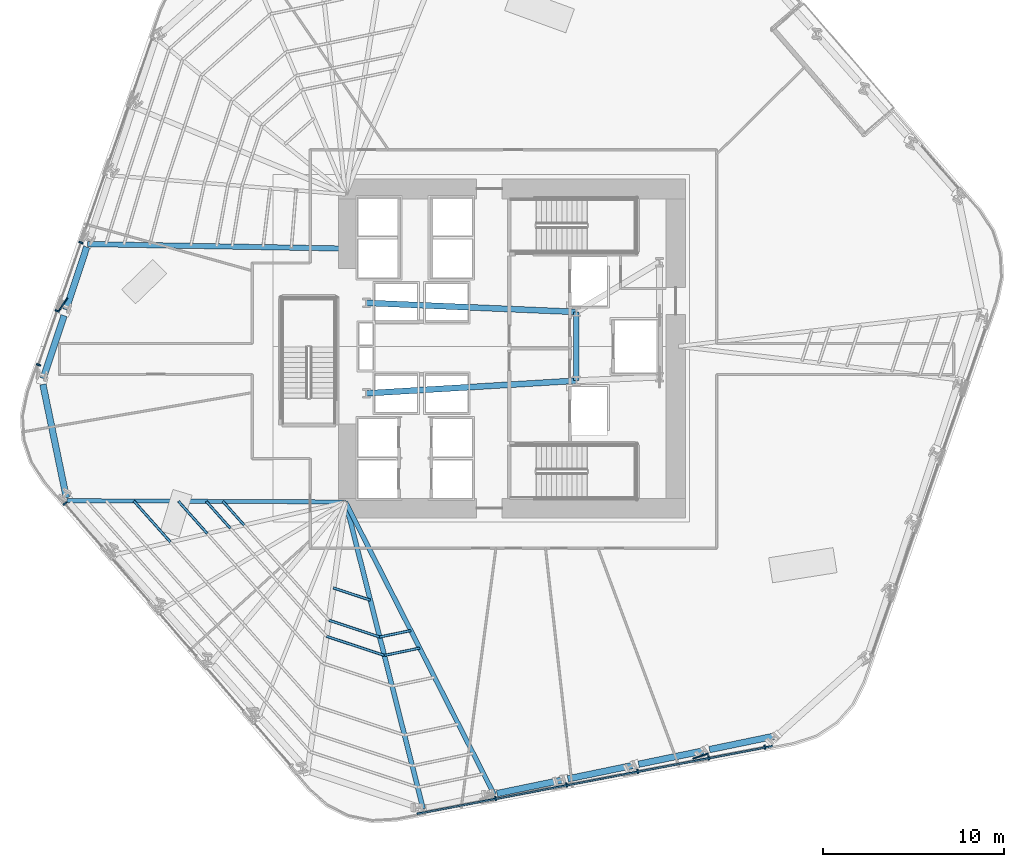
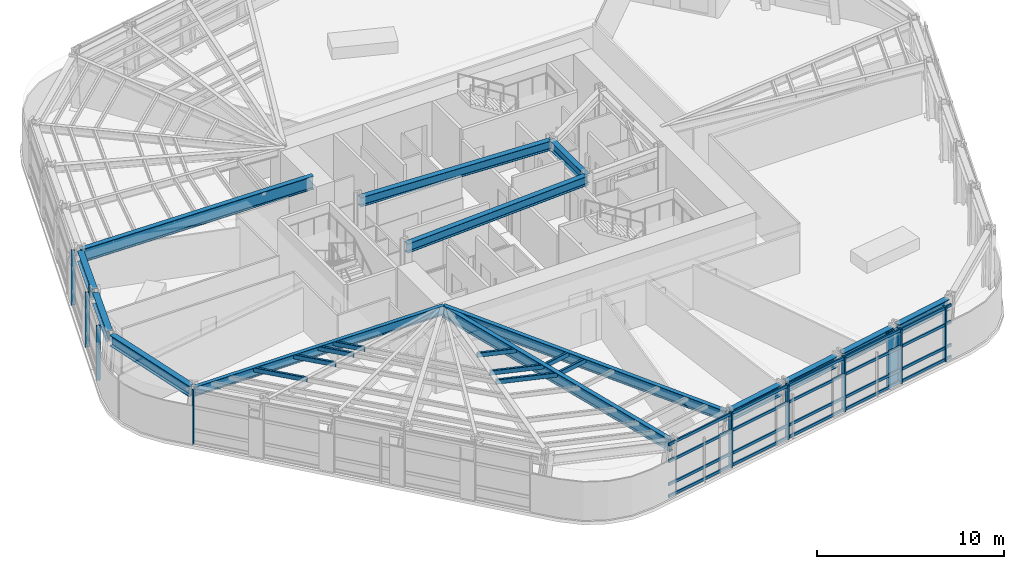
# One storey, part 3 of 18: 24 members, 14 beams, 3 elements without a shape of their own.
"""IFC4 building model written with IfcOpenShell, lengths in metres."""

from ifc_helpers import new_model, si_unit, direction, frame, origin, origin_2d, place, context, subcontext, project, spatial, rectangle, hollow_rectangle, i_section, extrude, material, layer, layer_set, material_profile, profile_set, type_object, element, aggregate, save


model = new_model("IFC4")

# Units and contexts
model_context = context("Model", 3, precision=1e-05, world=origin(), true_north=direction((0.0, 1.0)))
body_context = subcontext(model_context, "Body", "Model", "MODEL_VIEW")
ifc_project = project(units=[si_unit("LENGTHUNIT", "METRE"), si_unit("AREAUNIT", "SQUARE_METRE"), si_unit("VOLUMEUNIT", "CUBIC_METRE"), si_unit("PLANEANGLEUNIT", "RADIAN"), si_unit("MASSUNIT", "GRAM", prefix="KILO")], contexts=[model_context])

# Site, building, storey
site_placement = place(None, origin())
site = spatial("IfcSite", under=ifc_project, at=site_placement, CompositionType="ELEMENT")
building_placement = place(site_placement, origin())
building = spatial("IfcBuilding", under=site, at=building_placement, Name="Valkerne Bourse Tower", CompositionType="ELEMENT")
storey_placement = place(building_placement, frame((0.0, 0.0, 69.60009765625)))
storey = spatial("IfcBuildingStorey", under=building, at=storey_placement, Name="L17", CompositionType="ELEMENT", Elevation=69.60009765625)

# Beams
ifc_material_1 = material(Name="Steel ASTM A992", Category="steel")
ifc_material_profile_1 = material_profile(ifc_material_1, i_section(OverallWidth=0.3251953125, OverallDepth=0.612060546875, WebThickness=0.0126953125, FlangeThickness=0.01904296875, FilletRadius=0.020263671875, at=origin_2d()), Name="W24X104")
ifc_profile_set_1 = profile_set([ifc_material_profile_1], Name="Steel ASTM A992")
beam_type_1 = type_object("IfcBeamType", Name="BM-W24X104", PredefinedType="BEAM", material=ifc_profile_set_1)
beam_1_placement = place(storey_placement, frame((50.35009765625, 25.10009765625, 3.27392578125), z_axis=(0.0, 1.0, 0.0), x_axis=(-1.0, 0.0, 0.0)))
element("IfcBeam", 1, at=beam_1_placement, inside=storey, type_object=beam_type_1, Name="L17 Core Frame Girder CG-CE", PredefinedType="BEAM", context=body_context, shape_type="SweptSolid", body=[
    extrude(i_section(OverallWidth=0.3251953125, OverallDepth=0.612060546875, WebThickness=0.0126953125, FlangeThickness=0.01904296875, FilletRadius=0.020263671875, at=origin_2d()), origin(), (0.0, 0.0, 1.0), 3.7998046875),
])
beam_2_placement = place(storey_placement, frame((38.75, 24.39990234375, 3.27392578125), z_axis=(0.998183228389, 0.060251494276, 0.0), x_axis=(-0.060251494276, 0.998183228389, 0.0)))
element("IfcBeam", 2, at=beam_2_placement, inside=storey, type_object=beam_type_1, Name="L17 Core Frame Girder CG-SW", PredefinedType="BEAM", context=body_context, shape_type="SweptSolid", body=[
    extrude(i_section(OverallWidth=0.3251953125, OverallDepth=0.612060546875, WebThickness=0.0126953125, FlangeThickness=0.01904296875, FilletRadius=0.020263671875, at=origin_2d()), origin(), (0.0, 0.0, 1.0), 11.62109375),
])
beam_3_placement = place(storey_placement, frame((38.75, 29.39990234375, 3.27392578125), z_axis=(0.999072354402, -0.043063101019, 0.0), x_axis=(0.043063101019, 0.999072354402, 0.0)))
element("IfcBeam", 3, at=beam_3_placement, inside=storey, type_object=beam_type_1, Name="L17 Core Frame Girder CG-NW", PredefinedType="BEAM", context=body_context, shape_type="SweptSolid", body=[
    extrude(i_section(OverallWidth=0.3251953125, OverallDepth=0.612060546875, WebThickness=0.0126953125, FlangeThickness=0.01904296875, FilletRadius=0.020263671875, at=origin_2d()), origin(), (0.0, 0.0, 1.0), 11.61083984375),
])
ifc_material_profile_2 = material_profile(ifc_material_1, i_section(OverallWidth=0.228271484375, OverallDepth=0.607177734375, WebThickness=0.01123046875, FlangeThickness=0.017333984375, FilletRadius=0.017822265625, at=origin_2d()), Name="W24X76")
ifc_profile_set_2 = profile_set([ifc_material_profile_2], Name="Steel ASTM A992")
beam_type_2 = type_object("IfcBeamType", Name="BM-W24X76", PredefinedType="JOIST", material=ifc_profile_set_2)
beam_4_placement = place(storey_placement, frame((22.2109375, 18.471923828125, 3.2763671875), z_axis=(0.999989048915, -0.004679962709, 0.0), x_axis=(0.004679962709, 0.999989048915, 0.0)))
element("IfcBeam", 4, at=beam_4_placement, inside=storey, type_object=beam_type_2, Name="L17 Radial Composite Floor Beam 18", PredefinedType="JOIST", context=body_context, shape_type="SweptSolid", body=[
    extrude(i_section(OverallWidth=0.228271484375, OverallDepth=0.607177734375, WebThickness=0.01123046875, FlangeThickness=0.017333984375, FilletRadius=0.017822265625, at=origin_2d()), origin(), (0.0, 0.0, 1.0), 15.389404296875),
])
ifc_material_profile_3 = material_profile(ifc_material_1, i_section(OverallWidth=0.255859375, OverallDepth=0.693359375, WebThickness=0.014404296875, FlangeThickness=0.023681640625, FilletRadius=0.02294921875, at=origin_2d()), Name="W27X114")
ifc_profile_set_3 = profile_set([ifc_material_profile_3], Name="Steel ASTM A992")
beam_type_3 = type_object("IfcBeamType", Name="BM-W27X114", PredefinedType="BEAM", material=ifc_profile_set_3)
beam_5_placement = place(storey_placement, frame((45.803955078125, 2.251708984375, 3.233154296875), z_axis=(-0.452935695893, 0.891543187617, 0.0), x_axis=(-0.891543187617, -0.452935695893, 0.0)))
element("IfcBeam", 5, at=beam_5_placement, inside=storey, type_object=beam_type_3, Name="L17 Radial Composite Floor Beam 25", PredefinedType="BEAM", context=body_context, shape_type="SweptSolid", body=[
    extrude(i_section(OverallWidth=0.255859375, OverallDepth=0.693359375, WebThickness=0.014404296875, FlangeThickness=0.023681640625, FilletRadius=0.02294921875, at=origin_2d()), origin(), (0.0, 0.0, 1.0), 18.112548828125),
])
ifc_material_profile_4 = material_profile(ifc_material_1, i_section(OverallWidth=0.358154296875, OverallDepth=0.7060546875, WebThickness=0.018310546875, FlangeThickness=0.0302734375, FilletRadius=0.02294921875, at=origin_2d()), Name="W27X178")
ifc_profile_set_4 = profile_set([ifc_material_profile_4], Name="Steel ASTM A992")
beam_type_4 = type_object("IfcBeamType", Name="BM-W27X178", PredefinedType="SPANDREL", material=ifc_profile_set_4)
for number, where, z_axis, x_axis, name in (
    (6, (23.302490234375, 32.487548828125, 3.226806640625), (-0.314003098161, -0.949421958007, 0.0), (0.949421958007, -0.314003098161, 0.0), "L17 Hexagonal Spandrel Ring Beam 15"),
    (7, (22.047607421875, 28.693603515625, 3.226806640625), (-0.31394289996, -0.94944186529, 0.0), (0.94944186529, -0.31394289996, 0.0), "L17 Hexagonal Spandrel Ring Beam 16"),
):
    element("IfcBeam", number, at=place(storey_placement, frame(where, z_axis=z_axis, x_axis=x_axis)), inside=storey, type_object=beam_type_4, Name=name, PredefinedType="SPANDREL", context=body_context, shape_type="SweptSolid", body=[
        extrude(i_section(OverallWidth=0.358154296875, OverallDepth=0.7060546875, WebThickness=0.018310546875, FlangeThickness=0.0302734375, FilletRadius=0.02294921875, at=origin_2d()), origin(), (0.0, 0.0, 1.0), 3.65576171875),
    ])
beam_6_placement = place(storey_placement, frame((20.880859375, 24.894775390625, 3.226806640625), z_axis=(0.202791344936, -0.979221971985, 0.0), x_axis=(0.979221971985, 0.202791344936, 0.0)))
element("IfcBeam", 8, at=beam_6_placement, inside=storey, type_object=beam_type_4, Name="L17 Hexagonal Spandrel Ring Beam 17", PredefinedType="SPANDREL", context=body_context, shape_type="SweptSolid", body=[
    extrude(i_section(OverallWidth=0.358154296875, OverallDepth=0.7060546875, WebThickness=0.018310546875, FlangeThickness=0.0302734375, FilletRadius=0.02294921875, at=origin_2d()), origin(), (0.0, 0.0, 1.0), 6.38916015625),
])
beam_7_placement = place(storey_placement, frame((45.970458984375, 2.2861328125, 3.226806640625), z_axis=(0.979230253782, 0.202751350371, 0.0), x_axis=(-0.202751350371, 0.979230253782, 0.0)))
element("IfcBeam", 9, at=beam_7_placement, inside=storey, type_object=beam_type_4, Name="L17 Hexagonal Spandrel Ring Beam 25", PredefinedType="SPANDREL", context=body_context, shape_type="SweptSolid", body=[
    extrude(i_section(OverallWidth=0.358154296875, OverallDepth=0.7060546875, WebThickness=0.018310546875, FlangeThickness=0.0302734375, FilletRadius=0.02294921875, at=origin_2d()), origin(), (0.0, 0.0, 1.0), 3.65576171875),
])
for number, where, z_axis, x_axis, name in (
    (10, (49.88330078125, 3.096435546875, 3.226806640625), (0.9792197396, 0.202802124193, 0.0), (-0.202802124193, 0.9792197396, 0.0), "L17 Hexagonal Spandrel Ring Beam 26"),
    (11, (53.79638671875, 3.90673828125, 3.226806640625), (0.9792197396, 0.202802124193, 0.0), (-0.202802124193, 0.9792197396, 0.0), "L17 Hexagonal Spandrel Ring Beam 27"),
):
    element("IfcBeam", number, at=place(storey_placement, frame(where, z_axis=z_axis, x_axis=x_axis)), inside=storey, type_object=beam_type_4, Name=name, PredefinedType="SPANDREL", context=body_context, shape_type="SweptSolid", body=[
        extrude(i_section(OverallWidth=0.358154296875, OverallDepth=0.7060546875, WebThickness=0.018310546875, FlangeThickness=0.0302734375, FilletRadius=0.02294921875, at=origin_2d()), origin(), (0.0, 0.0, 1.0), 3.656005859375),
    ])
beam_8_placement = place(storey_placement, frame((57.70947265625, 4.717041015625, 3.226806640625), z_axis=(0.979216992874, 0.202815386167, 0.0), x_axis=(-0.202815386167, 0.979216992874, 0.0)))
element("IfcBeam", 12, at=beam_8_placement, inside=storey, type_object=beam_type_4, Name="L17 Hexagonal Spandrel Ring Beam 28", PredefinedType="SPANDREL", context=body_context, shape_type="SweptSolid", body=[
    extrude(i_section(OverallWidth=0.358154296875, OverallDepth=0.7060546875, WebThickness=0.018310546875, FlangeThickness=0.0302734375, FilletRadius=0.02294921875, at=origin_2d()), origin(), (0.0, 0.0, 1.0), 3.65576171875),
])
ifc_material_profile_5 = material_profile(ifc_material_1, i_section(OverallWidth=0.26806640625, OverallDepth=0.76953125, WebThickness=0.015625, FlangeThickness=0.025390625, FilletRadius=0.025390625, at=origin_2d()), Name="W30X132")
ifc_profile_set_5 = profile_set([ifc_material_profile_5], Name="Steel ASTM A992")
beam_type_5 = type_object("IfcBeamType", Name="BM-W30X132", PredefinedType="BEAM", material=ifc_profile_set_5)
beam_9_placement = place(storey_placement, frame((41.89111328125, 1.44140625, 3.195068359375), z_axis=(-0.245299671452, 0.969447301913, 0.0), x_axis=(-0.969447301913, -0.245299671452, 0.0)))
element("IfcBeam", 13, at=beam_9_placement, inside=storey, type_object=beam_type_5, Name="L17 Radial Composite Floor Beam 24", PredefinedType="BEAM", context=body_context, shape_type="SweptSolid", body=[
    extrude(i_section(OverallWidth=0.26806640625, OverallDepth=0.76953125, WebThickness=0.015625, FlangeThickness=0.025390625, FilletRadius=0.025390625, at=origin_2d()), origin(), (0.0, 0.0, 1.0), 17.492919921875),
])
ifc_material_profile_6 = material_profile(ifc_material_1, i_section(OverallWidth=0.2919921875, OverallDepth=0.8583984375, WebThickness=0.01708984375, FlangeThickness=0.031005859375, FilletRadius=0.025390625, at=origin_2d()), Name="W33X169")
ifc_profile_set_6 = profile_set([ifc_material_profile_6], Name="Steel ASTM A992")
beam_type_6 = type_object("IfcBeamType", Name="BM-W33X169", PredefinedType="BEAM", material=ifc_profile_set_6)
beam_10_placement = place(storey_placement, frame((23.35595703125, 32.64892578125, 3.150634765625), z_axis=(0.999847215813, -0.01747984643, 0.0), x_axis=(0.01747984643, 0.999847215813, 0.0)))
element("IfcBeam", 14, at=beam_10_placement, inside=storey, type_object=beam_type_6, Name="L17 Radial Composite Floor Beam 15", PredefinedType="BEAM", context=body_context, shape_type="SweptSolid", body=[
    extrude(i_section(OverallWidth=0.2919921875, OverallDepth=0.8583984375, WebThickness=0.01708984375, FlangeThickness=0.031005859375, FilletRadius=0.025390625, at=origin_2d()), origin(), (0.0, 0.0, 1.0), 14.246337890625),
])

# Curtain wall, members
ifc_material_2 = material(Name="Aluminium AA 6063-T6", Category="aluminium")
ifc_layer = layer(ifc_material_2, 0.22509765625)
ifc_layer_set = layer_set([ifc_layer], Name="Aluminium AA 6063-T6")
curtain_wall_type = type_object("IfcCurtainWallType", Name="CW-01", PredefinedType="NOTDEFINED", material=ifc_layer_set)
curtain_wall_1_placement = place(storey_placement, origin())
curtain_wall_1 = element("IfcCurtainWall", 15, at=curtain_wall_1_placement, inside=storey, type_object=curtain_wall_type, Name="L17 Hexagonal Stick Curtain Wall Face 3", PredefinedType="NOTDEFINED")
ifc_material_profile_7 = material_profile(ifc_material_2, rectangle(XDim=0.090087890625, YDim=0.239990234375, at=origin_2d()), Name="CWM-90X240")
ifc_profile_set_7 = profile_set([ifc_material_profile_7], Name="Aluminium AA 6063-T6")
member_type_1 = type_object("IfcMemberType", Name="CW-MUL-240X90", PredefinedType="MULLION", material=ifc_profile_set_7)
member_1_placement = place(storey_placement, frame((22.98828125, 32.731689453125, 0.0), z_axis=(0.0, 0.0, 1.0), x_axis=(-0.328879730217, -0.944371813987, 0.0)))
member_1 = element("IfcMember", 16, at=member_1_placement, type_object=member_type_1, Name="CW-L17-F3 Jamb Mullion 03A", PredefinedType="MULLION", context=body_context, shape_type="SweptSolid", body=[
    extrude(rectangle(XDim=0.090087890625, YDim=0.239990234375, at=origin_2d()), origin(), (0.0, 0.0, 1.0), 3.579833984375),
])
member_2_placement = place(storey_placement, frame((21.674072265625, 28.9580078125, 0.0), z_axis=(0.0, 0.0, 1.0), x_axis=(-0.328857411624, -0.944379586194, 0.0)))
member_2 = element("IfcMember", 17, at=member_2_placement, type_object=member_type_1, Name="CW-L17-F3 Jamb Mullion 04A", PredefinedType="MULLION", context=body_context, shape_type="SweptSolid", body=[
    extrude(rectangle(XDim=0.090087890625, YDim=0.239990234375, at=origin_2d()), origin(), (0.0, 0.0, 1.0), 3.579833984375),
])
member_3_placement = place(storey_placement, frame((20.63623046875, 25.9775390625, 0.0), z_axis=(0.0, 0.0, 1.0), x_axis=(-0.328857411624, -0.944379586194, 0.0)))
member_3 = element("IfcMember", 18, at=member_3_placement, type_object=member_type_1, Name="CW-L17-F3 Jamb Mullion 04B", PredefinedType="MULLION", context=body_context, shape_type="SweptSolid", body=[
    extrude(rectangle(XDim=0.090087890625, YDim=0.239990234375, at=origin_2d()), origin(), (0.0, 0.0, 1.0), 3.579833984375),
])
aggregate(curtain_wall_1, [member_1, member_2, member_3])

# Curtain wall, member
curtain_wall_2_placement = place(storey_placement, origin())
curtain_wall_2 = element("IfcCurtainWall", 19, at=curtain_wall_2_placement, inside=storey, type_object=curtain_wall_type, Name="L17 Hexagonal Stick Curtain Wall Face 4", PredefinedType="NOTDEFINED")
member_4_placement = place(storey_placement, frame((22.09716796875, 18.319091796875, 0.0), z_axis=(0.0, 0.0, 1.0), x_axis=(0.653417213968, -0.756997981827, 0.0)))
member_4 = element("IfcMember", 20, at=member_4_placement, type_object=member_type_1, Name="CW-L17-F4 Jamb Mullion 00A", PredefinedType="MULLION", context=body_context, shape_type="SweptSolid", body=[
    extrude(rectangle(XDim=0.090087890625, YDim=0.239990234375, at=origin_2d()), origin(), (0.0, 0.0, 1.0), 3.579833984375),
])
aggregate(curtain_wall_2, [member_4])

# Curtain wall, members
curtain_wall_3_placement = place(storey_placement, origin())
curtain_wall_3 = element("IfcCurtainWall", 21, at=curtain_wall_3_placement, inside=storey, type_object=curtain_wall_type, Name="L17 Hexagonal Stick Curtain Wall Face 5", PredefinedType="NOTDEFINED")
member_5_placement = place(storey_placement, frame((45.8916015625, 2.014892578125, 0.0), z_axis=(0.0, 0.0, 1.0), x_axis=(0.982285958477, 0.187388088679, 0.0)))
member_5 = element("IfcMember", 22, at=member_5_placement, type_object=member_type_1, Name="CW-L17-F5 Jamb Mullion 01A", PredefinedType="MULLION", context=body_context, shape_type="SweptSolid", body=[
    extrude(rectangle(XDim=0.090087890625, YDim=0.239990234375, at=origin_2d()), origin(), (0.0, 0.0, 1.0), 3.579833984375),
])
member_6_placement = place(storey_placement, frame((49.81689453125, 2.763916015625, 0.0), z_axis=(0.0, 0.0, 1.0), x_axis=(0.982285958477, 0.187388088679, 0.0)))
member_6 = element("IfcMember", 23, at=member_6_placement, type_object=member_type_1, Name="CW-L17-F5 Jamb Mullion 02A", PredefinedType="MULLION", context=body_context, shape_type="SweptSolid", body=[
    extrude(rectangle(XDim=0.090087890625, YDim=0.239990234375, at=origin_2d()), origin(), (0.0, 0.0, 1.0), 3.579833984375),
])
member_7_placement = place(storey_placement, frame((53.7421875, 3.5126953125, 0.0), z_axis=(0.0, 0.0, 1.0), x_axis=(0.982290564542, 0.187363942135, 0.0)))
member_7 = element("IfcMember", 24, at=member_7_placement, type_object=member_type_1, Name="CW-L17-F5 Jamb Mullion 03A", PredefinedType="MULLION", context=body_context, shape_type="SweptSolid", body=[
    extrude(rectangle(XDim=0.090087890625, YDim=0.239990234375, at=origin_2d()), origin(), (0.0, 0.0, 1.0), 3.579833984375),
])
member_8_placement = place(storey_placement, frame((57.667236328125, 4.26123046875, 0.0), z_axis=(0.0, 0.0, 1.0), x_axis=(0.982285958477, 0.187388088679, 0.0)))
member_8 = element("IfcMember", 25, at=member_8_placement, type_object=member_type_1, Name="CW-L17-F5 Jamb Mullion 04A", PredefinedType="MULLION", context=body_context, shape_type="SweptSolid", body=[
    extrude(rectangle(XDim=0.090087890625, YDim=0.239990234375, at=origin_2d()), origin(), (0.0, 0.0, 1.0), 3.579833984375),
])
member_9_placement = place(storey_placement, frame((60.767333984375, 4.852783203125, 0.0), z_axis=(0.0, 0.0, 1.0), x_axis=(0.982285958477, 0.187388088679, 0.0)))
member_9 = element("IfcMember", 26, at=member_9_placement, type_object=member_type_1, Name="CW-L17-F5 Jamb Mullion 04B", PredefinedType="MULLION", context=body_context, shape_type="SweptSolid", body=[
    extrude(rectangle(XDim=0.090087890625, YDim=0.239990234375, at=origin_2d()), origin(), (0.0, 0.0, 1.0), 3.579833984375),
])
ifc_material_profile_8 = material_profile(ifc_material_2, rectangle(XDim=0.090087890625, YDim=0.179931640625, at=origin_2d()), Name="CWT-90X180")
ifc_profile_set_8 = profile_set([ifc_material_profile_8], Name="Aluminium AA 6063-T6")
member_type_2 = type_object("IfcMemberType", Name="CW-TRN-180X90", PredefinedType="USERDEFINED", material=ifc_profile_set_8)
member_10_placement = place(storey_placement, frame((41.5576171875, 1.16796875, 0.119873046875), z_axis=(0.982286870932, 0.18738330554, 0.0), x_axis=(-0.18738330554, 0.982286870932, 0.0)))
member_10 = element("IfcMember", 27, at=member_10_placement, type_object=member_type_2, Name="CW-L17-F5 Continuous Face Transom 1", ObjectType="TRANSOM", PredefinedType="USERDEFINED", context=body_context, shape_type="SweptSolid", body=[
    extrude(rectangle(XDim=0.090087890625, YDim=0.179931640625, at=origin_2d()), origin(), (0.0, 0.0, 1.0), 19.97998046875),
])
member_11_placement = place(storey_placement, frame((41.5576171875, 1.16796875, 0.89990234375), z_axis=(0.982286870932, 0.18738330554, 0.0), x_axis=(-0.18738330554, 0.982286870932, 0.0)))
member_11 = element("IfcMember", 28, at=member_11_placement, type_object=member_type_2, Name="CW-L17-F5 Continuous Face Transom 2", ObjectType="TRANSOM", PredefinedType="USERDEFINED", context=body_context, shape_type="SweptSolid", body=[
    extrude(rectangle(XDim=0.090087890625, YDim=0.179931640625, at=origin_2d()), origin(), (0.0, 0.0, 1.0), 19.97998046875),
])
member_12_placement = place(storey_placement, frame((41.5576171875, 1.16796875, 2.39990234375), z_axis=(0.982286870932, 0.18738330554, 0.0), x_axis=(-0.18738330554, 0.982286870932, 0.0)))
member_12 = element("IfcMember", 29, at=member_12_placement, type_object=member_type_2, Name="CW-L17-F5 Continuous Face Transom 3", ObjectType="TRANSOM", PredefinedType="USERDEFINED", context=body_context, shape_type="SweptSolid", body=[
    extrude(rectangle(XDim=0.090087890625, YDim=0.179931640625, at=origin_2d()), origin(), (0.0, 0.0, 1.0), 19.97998046875),
])
member_13_placement = place(storey_placement, frame((41.5576171875, 1.16796875, 3.5), z_axis=(0.982286870932, 0.18738330554, 0.0), x_axis=(-0.18738330554, 0.982286870932, 0.0)))
member_13 = element("IfcMember", 30, at=member_13_placement, type_object=member_type_2, Name="CW-L17-F5 Continuous Face Transom 4", ObjectType="TRANSOM", PredefinedType="USERDEFINED", context=body_context, shape_type="SweptSolid", body=[
    extrude(rectangle(XDim=0.090087890625, YDim=0.179931640625, at=origin_2d()), origin(), (0.0, 0.0, 1.0), 19.97998046875),
])
aggregate(curtain_wall_3, [member_10, member_11, member_12, member_13, member_5, member_6, member_7, member_8, member_9])

# Members
ifc_material_3 = material(Name="Bronze Anodised Aluminium AA 6063-T6", Category="aluminium")
ifc_material_profile_9 = material_profile(ifc_material_3, rectangle(XDim=0.070068359375, YDim=0.89990234375, at=origin_2d()), Name="FIN-70X900")
ifc_profile_set_9 = profile_set([ifc_material_profile_9], Name="Bronze Anodised Aluminium AA 6063-T6")
member_type_3 = type_object("IfcMemberType", Name="FIN-SOLAR-900", PredefinedType="USERDEFINED", material=ifc_profile_set_9)
for number, where, z_axis, x_axis, name in (
    (31, (21.982177734375, 29.29541015625, 0.00390625), (0.0, 0.0, 1.0), (-0.837576881521, 0.546319473881, 0.0), "L17 Bronze Anodised Solar Fin F3-04"),
    (32, (57.220947265625, 4.359375, 0.00390625), (0.0, 0.0, 1.0), (0.32703082574, -0.945013671338, 0.0), "L17 Bronze Anodised Solar Fin F5-04"),
):
    element("IfcMember", number, at=place(storey_placement, frame(where, z_axis=z_axis, x_axis=x_axis)), inside=storey, type_object=member_type_3, Name=name, ObjectType="SOLAR_FIN", PredefinedType="USERDEFINED", context=body_context, shape_type="SweptSolid", body=[
        extrude(rectangle(XDim=0.070068359375, YDim=0.89990234375, at=origin_2d()), origin(), (0.0, 0.0, 1.0), 3.572021484375),
    ])
ifc_material_4 = material(Name="Steel ASTM A500 Grade C", Category="steel")
ifc_material_profile_10 = material_profile(ifc_material_4, hollow_rectangle(XDim=0.14990234375, YDim=0.300048828125, WallThickness=0.012451171875, OuterFilletRadius=0.02490234375, at=origin_2d()), Name="HSS300X150X12.5")
ifc_profile_set_10 = profile_set([ifc_material_profile_10], Name="Steel ASTM A500 Grade C")
member_type_4 = type_object("IfcMemberType", Name="MBR-HSS300X150X12.5", PredefinedType="PURLIN", material=ifc_profile_set_10)
member_14_placement = place(storey_placement, frame((36.9287109375, 13.6494140625, 3.419921875), z_axis=(0.949406403813, -0.314050124022, 0.0), x_axis=(0.314050124022, 0.949406403813, 0.0)))
element("IfcMember", 33, at=member_14_placement, inside=storey, type_object=member_type_4, Name="L17 Secondary Composite Floor Purlin I-23", PredefinedType="PURLIN", context=body_context, shape_type="SweptSolid", body=[
    extrude(hollow_rectangle(XDim=0.14990234375, YDim=0.300048828125, WallThickness=0.012451171875, OuterFilletRadius=0.02490234375, at=origin_2d()), origin(), (0.0, 0.0, 1.0), 2.1533203125),
])
member_15_placement = place(storey_placement, frame((30.828857421875, 18.431640625, 3.419921875), z_axis=(0.665173666486, -0.746688685741, 0.0), x_axis=(0.746688685741, 0.665173666486, 0.0)))
element("IfcMember", 34, at=member_15_placement, inside=storey, type_object=member_type_4, Name="L17 Secondary Composite Floor Purlin K-18", PredefinedType="PURLIN", context=body_context, shape_type="SweptSolid", body=[
    extrude(hollow_rectangle(XDim=0.14990234375, YDim=0.300048828125, WallThickness=0.012451171875, OuterFilletRadius=0.02490234375, at=origin_2d()), origin(), (0.0, 0.0, 1.0), 1.758056640625),
])
member_16_placement = place(storey_placement, frame((36.677001953125, 11.867919921875, 3.419921875), z_axis=(0.949422808718, -0.314000525933, 0.0), x_axis=(0.314000525933, 0.949422808718, 0.0)))
element("IfcMember", 35, at=member_16_placement, inside=storey, type_object=member_type_4, Name="L17 Secondary Composite Floor Purlin K-23", PredefinedType="PURLIN", context=body_context, shape_type="SweptSolid", body=[
    extrude(hollow_rectangle(XDim=0.14990234375, YDim=0.300048828125, WallThickness=0.012451171875, OuterFilletRadius=0.02490234375, at=origin_2d()), origin(), (0.0, 0.0, 1.0), 2.960693359375),
])
member_17_placement = place(storey_placement, frame((39.488037109375, 10.938232421875, 3.419921875), z_axis=(0.979233810936, 0.202734169592, 0.0), x_axis=(-0.202734169592, 0.979233810936, 0.0)))
element("IfcMember", 36, at=member_17_placement, inside=storey, type_object=member_type_4, Name="L17 Secondary Composite Floor Purlin K-24", PredefinedType="PURLIN", context=body_context, shape_type="SweptSolid", body=[
    extrude(hollow_rectangle(XDim=0.14990234375, YDim=0.300048828125, WallThickness=0.012451171875, OuterFilletRadius=0.02490234375, at=origin_2d()), origin(), (0.0, 0.0, 1.0), 1.75830078125),
])
member_18_placement = place(storey_placement, frame((29.905517578125, 18.43603515625, 3.419921875), z_axis=(0.665182509798, -0.746680807747, 0.0), x_axis=(0.746680807747, 0.665182509798, 0.0)))
element("IfcMember", 37, at=member_18_placement, inside=storey, type_object=member_type_4, Name="L17 Secondary Composite Floor Purlin M-18", PredefinedType="PURLIN", context=body_context, shape_type="SweptSolid", body=[
    extrude(hollow_rectangle(XDim=0.14990234375, YDim=0.300048828125, WallThickness=0.012451171875, OuterFilletRadius=0.02490234375, at=origin_2d()), origin(), (0.0, 0.0, 1.0), 1.998046875),
])
member_19_placement = place(storey_placement, frame((36.551025390625, 10.97705078125, 3.419921875), z_axis=(0.949435211097, -0.313963023188, 0.0), x_axis=(0.313963023188, 0.949435211097, 0.0)))
element("IfcMember", 38, at=member_19_placement, inside=storey, type_object=member_type_4, Name="L17 Secondary Composite Floor Purlin M-23", PredefinedType="PURLIN", context=body_context, shape_type="SweptSolid", body=[
    extrude(hollow_rectangle(XDim=0.14990234375, YDim=0.300048828125, WallThickness=0.012451171875, OuterFilletRadius=0.02490234375, at=origin_2d()), origin(), (0.0, 0.0, 1.0), 3.36474609375),
])
member_20_placement = place(storey_placement, frame((39.74560546875, 9.920654296875, 3.419921875), z_axis=(0.979232820128, 0.202738955272, 0.0), x_axis=(-0.202738955272, 0.979232820128, 0.0)))
element("IfcMember", 39, at=member_20_placement, inside=storey, type_object=member_type_4, Name="L17 Secondary Composite Floor Purlin M-24", PredefinedType="PURLIN", context=body_context, shape_type="SweptSolid", body=[
    extrude(hollow_rectangle(XDim=0.14990234375, YDim=0.300048828125, WallThickness=0.012451171875, OuterFilletRadius=0.02490234375, at=origin_2d()), origin(), (0.0, 0.0, 1.0), 1.997802734375),
])
member_21_placement = place(storey_placement, frame((25.904296875, 18.45458984375, 3.419921875), z_axis=(0.665256564396, -0.746614829432, 0.0), x_axis=(0.746614829432, 0.665256564396, 0.0)))
element("IfcMember", 40, at=member_21_placement, inside=storey, type_object=member_type_4, Name="L17 Secondary Composite Floor Purlin O-18", PredefinedType="PURLIN", context=body_context, shape_type="SweptSolid", body=[
    extrude(hollow_rectangle(XDim=0.14990234375, YDim=0.300048828125, WallThickness=0.012451171875, OuterFilletRadius=0.02490234375, at=origin_2d()), origin(), (0.0, 0.0, 1.0), 3.036865234375),
])
member_22_placement = place(storey_placement, frame((28.36669921875, 18.443115234375, 3.419921875), z_axis=(0.665197784058, -0.746667200354, 0.0), x_axis=(0.746667200354, 0.665197784058, 0.0)))
element("IfcMember", 41, at=member_22_placement, inside=storey, type_object=member_type_4, Name="L17 Secondary Composite Floor Purlin Z-18", PredefinedType="PURLIN", context=body_context, shape_type="SweptSolid", body=[
    extrude(hollow_rectangle(XDim=0.14990234375, YDim=0.300048828125, WallThickness=0.012451171875, OuterFilletRadius=0.02490234375, at=origin_2d()), origin(), (0.0, 0.0, 1.0), 2.3974609375),
])

save(model, "model.ifc")
